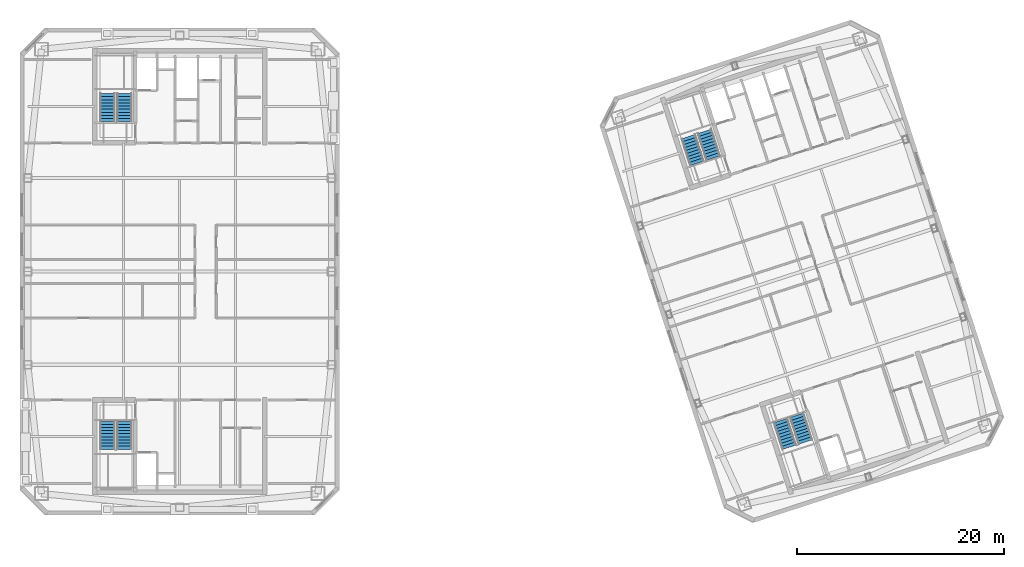
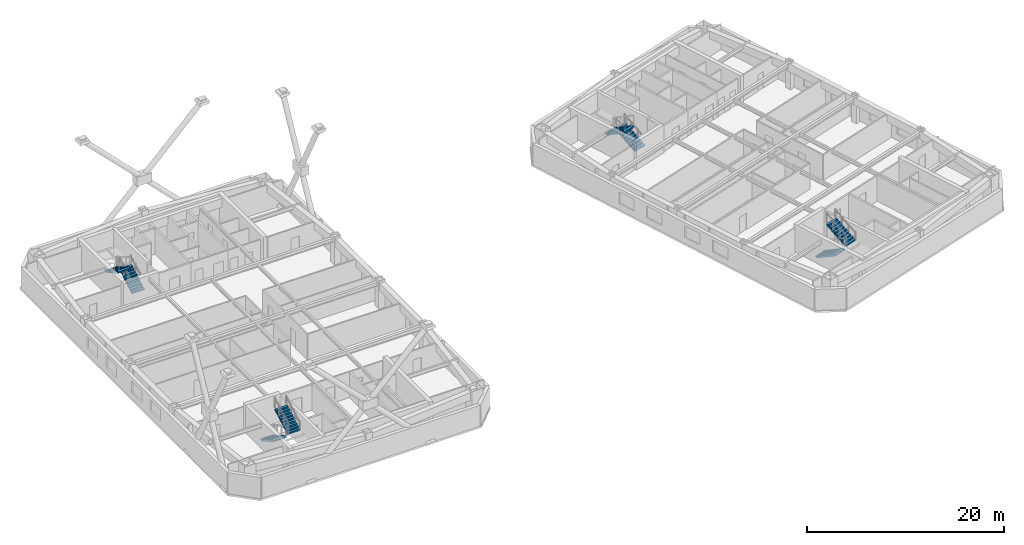
# One storey, part 18 of 20: 8 stair flights, 4 elements without a shape of their own.
"""IFC4 building model written with IfcOpenShell, lengths in metres."""

from ifc_helpers import new_model, si_unit, direction, frame, origin, place, context, subcontext, project, spatial, polyline, outline, extrude, material, type_object, element, aggregate, save


model = new_model("IFC4")

# Units and contexts
model_context = context("Model", 3, precision=1e-05, world=origin(), true_north=direction((0.0, 1.0)))
body_context = subcontext(model_context, "Body", "Model", "MODEL_VIEW")
ifc_project = project(units=[si_unit("LENGTHUNIT", "METRE"), si_unit("AREAUNIT", "SQUARE_METRE"), si_unit("VOLUMEUNIT", "CUBIC_METRE"), si_unit("PLANEANGLEUNIT", "RADIAN"), si_unit("MASSUNIT", "GRAM", prefix="KILO")], contexts=[model_context])

# Site, building, storey
site_placement = place(None, origin())
site = spatial("IfcSite", under=ifc_project, at=site_placement, CompositionType="ELEMENT")
building_placement = place(site_placement, origin())
building = spatial("IfcBuilding", under=site, at=building_placement, Name="Qiaolan Cultural Towers", CompositionType="ELEMENT")
storey_placement = place(building_placement, frame((0.0, 0.0, 223.10009765625)))
storey = spatial("IfcBuildingStorey", under=building, at=storey_placement, Name="L60", CompositionType="ELEMENT", Elevation=223.10009765625)

# Stair, stair flights
ifc_material_1 = material(Name="Concrete C45", Category="concrete")
stair_type = type_object("IfcStairType", Name="STR-CORE-1500", PredefinedType="HALF_TURN_STAIR", material=ifc_material_1)
stair_1_placement = place(storey_placement, origin())
stair_1 = element("IfcStair", 1, at=stair_1_placement, inside=storey, type_object=stair_type, Name="L60 Smokeproof Exit Stair ST-W1", PredefinedType="HALF_TURN_STAIR")
ifc_material_2 = material(Name="Concrete C45", Category="concrete")
stair_flight_type = type_object("IfcStairFlightType", Name="STR-CORE-1500-FL", PredefinedType="STRAIGHT", material=ifc_material_2)
stair_flight_1_placement = place(storey_placement, frame((23.02001953125, 19.550048828125, 0.0), z_axis=(0.0, 0.0, 1.0), x_axis=(0.0, -1.0, 0.0)))
stair_flight_1 = element("IfcStairFlight", 2, at=stair_flight_1_placement, type_object=stair_flight_type, Name="ST-W1 flight 1", NumberOfRisers=10, NumberOfTreads=9, PredefinedType="STRAIGHT", RiserHeight=0.1725, TreadLength=0.3, context=body_context, shape_type="SweptSolid", body=[
    extrude(outline(polyline([(0.0, 0.0), (0.0, 0.172607421875), (0.300048828125, 0.172607421875), (0.300048828125, 0.344970703125), (0.60009765625, 0.344970703125), (0.60009765625, 0.517578125), (0.89990234375, 0.517578125), (0.89990234375, 0.68994140625), (1.199951171875, 0.68994140625), (1.199951171875, 0.862548828125), (1.5, 0.862548828125), (1.5, 1.034912109375), (1.800048828125, 1.034912109375), (1.800048828125, 1.20751953125), (2.10009765625, 1.20751953125), (2.10009765625, 1.3798828125), (2.39990234375, 1.3798828125), (2.39990234375, 1.552490234375), (2.699951171875, 1.552490234375), (2.699951171875, 1.72509765625), (2.699951171875, 1.379638671875), (0.30078125, 0.0), (0.0, 0.0)])), frame((0.0, 0.719970703125, 0.0), z_axis=(0.0, -1.0, 0.0), x_axis=(1.0, 0.0, 0.0)), (0.0, 0.0, 1.0), 1.43994140625),
])
stair_flight_2_placement = place(storey_placement, frame((24.659912109375, 16.85009765625, 1.724853515625), z_axis=(0.0, 0.0, 1.0), x_axis=(0.0, 1.0, 0.0)))
stair_flight_2 = element("IfcStairFlight", 3, at=stair_flight_2_placement, type_object=stair_flight_type, Name="ST-W1 flight 2", NumberOfRisers=10, NumberOfTreads=9, PredefinedType="STRAIGHT", RiserHeight=0.1725, TreadLength=0.3, context=body_context, shape_type="SweptSolid", body=[
    extrude(outline(polyline([(0.0, 0.0), (0.0, 0.172607421875), (0.300048828125, 0.172607421875), (0.300048828125, 0.344970703125), (0.60009765625, 0.344970703125), (0.60009765625, 0.517578125), (0.89990234375, 0.517578125), (0.89990234375, 0.68994140625), (1.199951171875, 0.68994140625), (1.199951171875, 0.862548828125), (1.5, 0.862548828125), (1.5, 1.034912109375), (1.800048828125, 1.034912109375), (1.800048828125, 1.20751953125), (2.10009765625, 1.20751953125), (2.10009765625, 1.3798828125), (2.39990234375, 1.3798828125), (2.39990234375, 1.552490234375), (2.699951171875, 1.552490234375), (2.699951171875, 1.72509765625), (2.699951171875, 1.379638671875), (0.30078125, 0.0), (0.0, 0.0)])), frame((0.0, 0.719970703125, 0.0), z_axis=(0.0, -1.0, 0.0), x_axis=(1.0, 0.0, 0.0)), (0.0, 0.0, 1.0), 1.43994140625),
])
aggregate(stair_1, [stair_flight_1, stair_flight_2])

stair_2_placement = place(storey_placement, origin())
stair_2 = element("IfcStair", 4, at=stair_2_placement, inside=storey, type_object=stair_type, Name="L60 Smokeproof Exit Stair ST-W2", PredefinedType="HALF_TURN_STAIR")
stair_flight_3_placement = place(storey_placement, frame((24.659912109375, 48.449951171875, 0.0), z_axis=(0.0, 0.0, 1.0), x_axis=(0.0, 1.0, 0.0)))
stair_flight_3 = element("IfcStairFlight", 5, at=stair_flight_3_placement, type_object=stair_flight_type, Name="ST-W2 flight 1", NumberOfRisers=10, NumberOfTreads=9, PredefinedType="STRAIGHT", RiserHeight=0.1725, TreadLength=0.3, context=body_context, shape_type="SweptSolid", body=[
    extrude(outline(polyline([(0.0, 0.0), (0.0, 0.172607421875), (0.300048828125, 0.172607421875), (0.300048828125, 0.344970703125), (0.60009765625, 0.344970703125), (0.60009765625, 0.517578125), (0.89990234375, 0.517578125), (0.89990234375, 0.68994140625), (1.199951171875, 0.68994140625), (1.199951171875, 0.862548828125), (1.5, 0.862548828125), (1.5, 1.034912109375), (1.800048828125, 1.034912109375), (1.800048828125, 1.20751953125), (2.10009765625, 1.20751953125), (2.10009765625, 1.3798828125), (2.39990234375, 1.3798828125), (2.39990234375, 1.552490234375), (2.699951171875, 1.552490234375), (2.699951171875, 1.72509765625), (2.699951171875, 1.379638671875), (0.30078125, 0.0), (0.0, 0.0)])), frame((0.0, 0.719970703125, 0.0), z_axis=(0.0, -1.0, 0.0), x_axis=(1.0, 0.0, 0.0)), (0.0, 0.0, 1.0), 1.43994140625),
])
stair_flight_4_placement = place(storey_placement, frame((23.02001953125, 51.14990234375, 1.724853515625), z_axis=(0.0, 0.0, 1.0), x_axis=(0.0, -1.0, 0.0)))
stair_flight_4 = element("IfcStairFlight", 6, at=stair_flight_4_placement, type_object=stair_flight_type, Name="ST-W2 flight 2", NumberOfRisers=10, NumberOfTreads=9, PredefinedType="STRAIGHT", RiserHeight=0.1725, TreadLength=0.3, context=body_context, shape_type="SweptSolid", body=[
    extrude(outline(polyline([(0.0, 0.0), (0.0, 0.172607421875), (0.300048828125, 0.172607421875), (0.300048828125, 0.344970703125), (0.60009765625, 0.344970703125), (0.60009765625, 0.517578125), (0.89990234375, 0.517578125), (0.89990234375, 0.68994140625), (1.199951171875, 0.68994140625), (1.199951171875, 0.862548828125), (1.5, 0.862548828125), (1.5, 1.034912109375), (1.800048828125, 1.034912109375), (1.800048828125, 1.20751953125), (2.10009765625, 1.20751953125), (2.10009765625, 1.3798828125), (2.39990234375, 1.3798828125), (2.39990234375, 1.552490234375), (2.699951171875, 1.552490234375), (2.699951171875, 1.72509765625), (2.699951171875, 1.379638671875), (0.30078125, 0.0), (0.0, 0.0)])), frame((0.0, 0.719970703125, 0.0), z_axis=(0.0, -1.0, 0.0), x_axis=(1.0, 0.0, 0.0)), (0.0, 0.0, 1.0), 1.43994140625),
])
aggregate(stair_2, [stair_flight_3, stair_flight_4])

stair_3_placement = place(storey_placement, origin())
stair_3 = element("IfcStair", 7, at=stair_3_placement, inside=storey, type_object=stair_type, Name="L60 Smokeproof Exit Stair ST-E1", PredefinedType="HALF_TURN_STAIR")
stair_flight_5_placement = place(storey_placement, frame((87.96484375, 19.6171875, 0.0), z_axis=(0.0, 0.0, 1.0), x_axis=(0.309016994375, -0.951056516295, 0.0)))
stair_flight_5 = element("IfcStairFlight", 8, at=stair_flight_5_placement, type_object=stair_flight_type, Name="ST-E1 flight 1", NumberOfRisers=10, NumberOfTreads=9, PredefinedType="STRAIGHT", RiserHeight=0.1725, TreadLength=0.3, context=body_context, shape_type="SweptSolid", body=[
    extrude(outline(polyline([(0.0, 0.0), (0.0, 0.172607421875), (0.300048828125, 0.172607421875), (0.300048828125, 0.344970703125), (0.60009765625, 0.344970703125), (0.60009765625, 0.517578125), (0.89990234375, 0.517578125), (0.89990234375, 0.68994140625), (1.199951171875, 0.68994140625), (1.199951171875, 0.862548828125), (1.5, 0.862548828125), (1.5, 1.034912109375), (1.800048828125, 1.034912109375), (1.800048828125, 1.20751953125), (2.10009765625, 1.20751953125), (2.10009765625, 1.3798828125), (2.39990234375, 1.3798828125), (2.39990234375, 1.552490234375), (2.699951171875, 1.552490234375), (2.699951171875, 1.72509765625), (2.699951171875, 1.379638671875), (0.30078125, 0.0), (0.0, 0.0)])), frame((0.0, 0.719970703125, 0.0), z_axis=(0.0, -1.0, 0.0), x_axis=(1.0, 0.0, 0.0)), (0.0, 0.0, 1.0), 1.43994140625),
])
stair_flight_6_placement = place(storey_placement, frame((90.359130859375, 17.55615234375, 1.724853515625), z_axis=(0.0, 0.0, 1.0), x_axis=(-0.309016994375, 0.951056516295, 0.0)))
stair_flight_6 = element("IfcStairFlight", 9, at=stair_flight_6_placement, type_object=stair_flight_type, Name="ST-E1 flight 2", NumberOfRisers=10, NumberOfTreads=9, PredefinedType="STRAIGHT", RiserHeight=0.1725, TreadLength=0.3, context=body_context, shape_type="SweptSolid", body=[
    extrude(outline(polyline([(0.0, 0.0), (0.0, 0.172607421875), (0.300048828125, 0.172607421875), (0.300048828125, 0.344970703125), (0.60009765625, 0.344970703125), (0.60009765625, 0.517578125), (0.89990234375, 0.517578125), (0.89990234375, 0.68994140625), (1.199951171875, 0.68994140625), (1.199951171875, 0.862548828125), (1.5, 0.862548828125), (1.5, 1.034912109375), (1.800048828125, 1.034912109375), (1.800048828125, 1.20751953125), (2.10009765625, 1.20751953125), (2.10009765625, 1.3798828125), (2.39990234375, 1.3798828125), (2.39990234375, 1.552490234375), (2.699951171875, 1.552490234375), (2.699951171875, 1.72509765625), (2.699951171875, 1.379638671875), (0.30078125, 0.0), (0.0, 0.0)])), frame((0.0, 0.719970703125, 0.0), z_axis=(0.0, -1.0, 0.0), x_axis=(1.0, 0.0, 0.0)), (0.0, 0.0, 1.0), 1.43994140625),
])
aggregate(stair_3, [stair_flight_5, stair_flight_6])

stair_4_placement = place(storey_placement, origin())
stair_4 = element("IfcStair", 10, at=stair_4_placement, inside=storey, type_object=stair_type, Name="L60 Smokeproof Exit Stair ST-E2", PredefinedType="HALF_TURN_STAIR")
stair_flight_7_placement = place(storey_placement, frame((81.459228515625, 44.946533203125, 0.0), z_axis=(0.0, 0.0, 1.0), x_axis=(-0.309016994375, 0.951056516295, 0.0)))
stair_flight_7 = element("IfcStairFlight", 11, at=stair_flight_7_placement, type_object=stair_flight_type, Name="ST-E2 flight 1", NumberOfRisers=10, NumberOfTreads=9, PredefinedType="STRAIGHT", RiserHeight=0.1725, TreadLength=0.3, context=body_context, shape_type="SweptSolid", body=[
    extrude(outline(polyline([(0.0, 0.0), (0.0, 0.172607421875), (0.300048828125, 0.172607421875), (0.300048828125, 0.344970703125), (0.60009765625, 0.344970703125), (0.60009765625, 0.517578125), (0.89990234375, 0.517578125), (0.89990234375, 0.68994140625), (1.199951171875, 0.68994140625), (1.199951171875, 0.862548828125), (1.5, 0.862548828125), (1.5, 1.034912109375), (1.800048828125, 1.034912109375), (1.800048828125, 1.20751953125), (2.10009765625, 1.20751953125), (2.10009765625, 1.3798828125), (2.39990234375, 1.3798828125), (2.39990234375, 1.552490234375), (2.699951171875, 1.552490234375), (2.699951171875, 1.72509765625), (2.699951171875, 1.379638671875), (0.30078125, 0.0), (0.0, 0.0)])), frame((0.0, 0.719970703125, 0.0), z_axis=(0.0, -1.0, 0.0), x_axis=(1.0, 0.0, 0.0)), (0.0, 0.0, 1.0), 1.43994140625),
])
stair_flight_8_placement = place(storey_placement, frame((79.065185546875, 47.007568359375, 1.724853515625), z_axis=(0.0, 0.0, 1.0), x_axis=(0.309016994375, -0.951056516295, 0.0)))
stair_flight_8 = element("IfcStairFlight", 12, at=stair_flight_8_placement, type_object=stair_flight_type, Name="ST-E2 flight 2", NumberOfRisers=10, NumberOfTreads=9, PredefinedType="STRAIGHT", RiserHeight=0.1725, TreadLength=0.3, context=body_context, shape_type="SweptSolid", body=[
    extrude(outline(polyline([(0.0, 0.0), (0.0, 0.172607421875), (0.300048828125, 0.172607421875), (0.300048828125, 0.344970703125), (0.60009765625, 0.344970703125), (0.60009765625, 0.517578125), (0.89990234375, 0.517578125), (0.89990234375, 0.68994140625), (1.199951171875, 0.68994140625), (1.199951171875, 0.862548828125), (1.5, 0.862548828125), (1.5, 1.034912109375), (1.800048828125, 1.034912109375), (1.800048828125, 1.20751953125), (2.10009765625, 1.20751953125), (2.10009765625, 1.3798828125), (2.39990234375, 1.3798828125), (2.39990234375, 1.552490234375), (2.699951171875, 1.552490234375), (2.699951171875, 1.72509765625), (2.699951171875, 1.379638671875), (0.30078125, 0.0), (0.0, 0.0)])), frame((0.0, 0.719970703125, 0.0), z_axis=(0.0, -1.0, 0.0), x_axis=(1.0, 0.0, 0.0)), (0.0, 0.0, 1.0), 1.43994140625),
])
aggregate(stair_4, [stair_flight_7, stair_flight_8])

save(model, "model.ifc")
